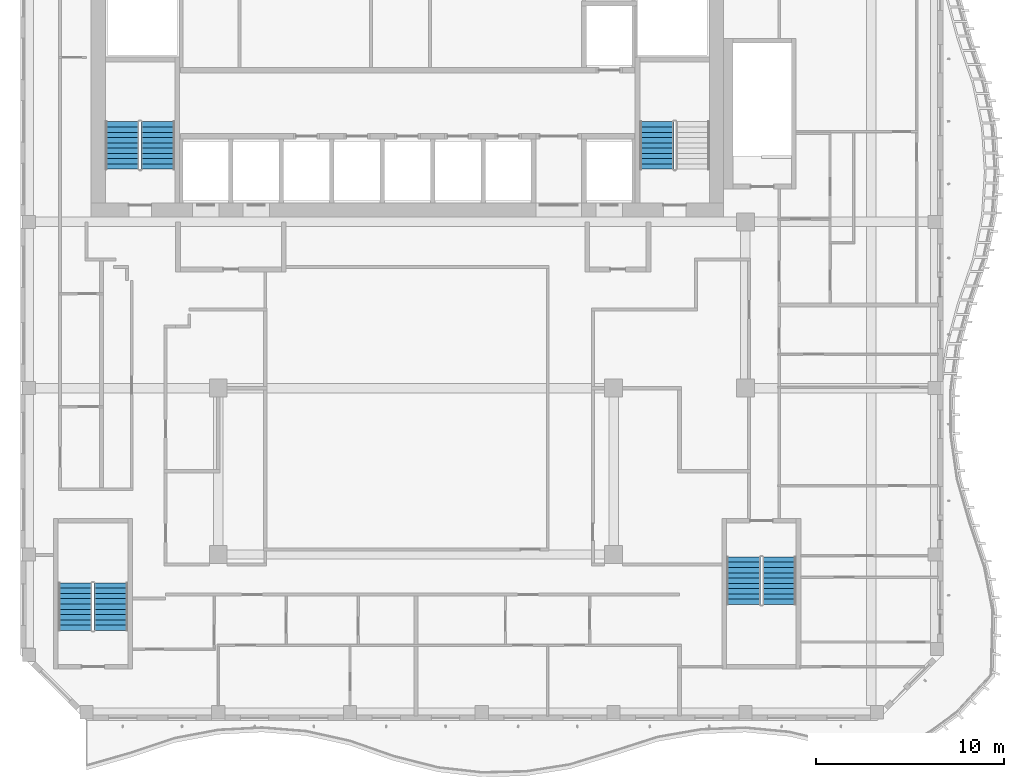
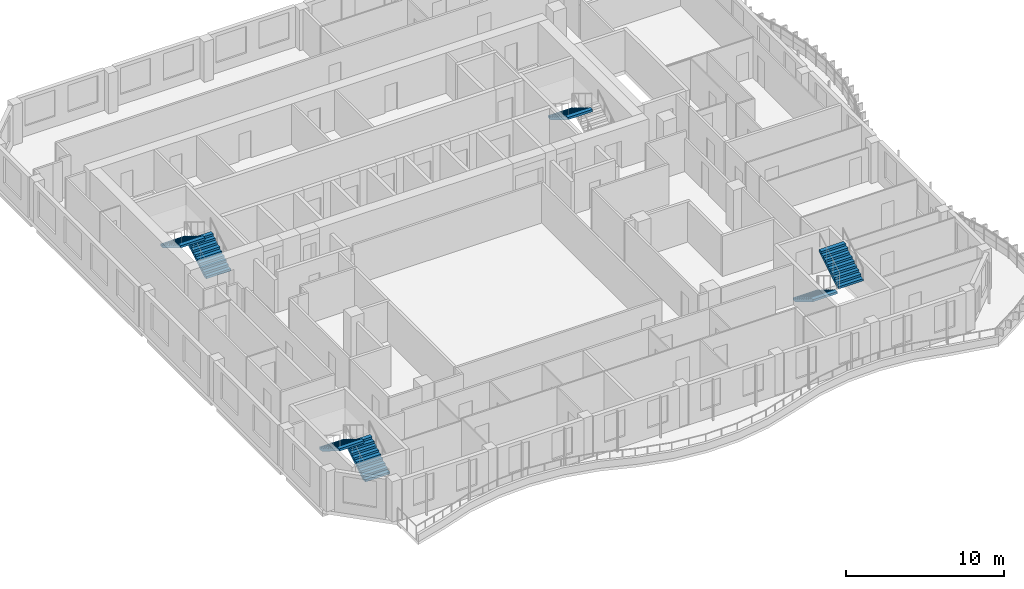
# One storey, part 10 of 18: 7 stair flights, 4 elements without a shape of their own.
"""IFC4 building model written with IfcOpenShell, lengths in metres."""

from ifc_helpers import new_model, si_unit, direction, frame, origin, place, context, subcontext, project, spatial, triangles, source, transform, mapped, material, type_object, element, aggregate, save


model = new_model("IFC4")

# Units and contexts
model_context = context("Model", 3, precision=1e-05, world=origin(), true_north=direction((0.0, 1.0)))
body_context = subcontext(model_context, "Body", "Model", "MODEL_VIEW")
ifc_project = project(units=[si_unit("LENGTHUNIT", "METRE"), si_unit("AREAUNIT", "SQUARE_METRE"), si_unit("VOLUMEUNIT", "CUBIC_METRE"), si_unit("PLANEANGLEUNIT", "RADIAN"), si_unit("MASSUNIT", "GRAM", prefix="KILO")], contexts=[model_context])

# Site, building, storey
site_placement = place(None, origin())
site = spatial("IfcSite", under=ifc_project, at=site_placement, CompositionType="ELEMENT")
building_placement = place(site_placement, origin())
building = spatial("IfcBuilding", under=site, at=building_placement, Name="Kilnfold Tower and Market Hall", CompositionType="ELEMENT")
storey_placement = place(building_placement, frame((0.0, 0.0, 256.0)))
storey = spatial("IfcBuildingStorey", under=building, at=storey_placement, Name="L62", CompositionType="ELEMENT", Elevation=256.0)

# Stair, stair flights
ifc_material_1 = material(Name="Concrete C40/50", Category="concrete")
stair_type = type_object("IfcStairType", Name="CORE STAIR 1800", PredefinedType="HALF_TURN_STAIR", material=ifc_material_1)
stair_1_placement = place(storey_placement, origin())
stair_1 = element("IfcStair", 1, at=stair_1_placement, inside=storey, type_object=stair_type, Name="L62 ST1", PredefinedType="HALF_TURN_STAIR")
ifc_material_2 = material(Name="Concrete C40/50", Category="concrete")
stair_flight_type = type_object("IfcStairFlightType", Name="CORE STAIR FLIGHT 1800", PredefinedType="STRAIGHT", material=ifc_material_2)
shared_shape = source(origin(), body_context, "Body", "Tessellation", [
    triangles([(0.0, 0.89990234375, 0.0), (0.0, 0.78759765625, 0.0), (0.0, 0.675048828125, 0.0), (0.0, 0.5625, 0.0), (0.0, 0.449951171875, 0.0), (0.0, 0.33740234375, 0.0), (0.0, 0.22509765625, 0.0), (0.0, 0.112548828125, 0.0), (0.0, 0.0, 0.0), (0.0, -0.112548828125, 0.0), (0.0, -0.22509765625, 0.0), (0.0, -0.33740234375, 0.0), (0.0, -0.449951171875, 0.0), (0.0, -0.5625, 0.0), (0.0, -0.675048828125, 0.0), (0.0, -0.78759765625, 0.0), (0.0, -0.89990234375, 0.0), (0.0, 0.89990234375, 0.169921875), (0.0, 0.78759765625, 0.169921875), (0.0, 0.675048828125, 0.169921875), (0.0, 0.5625, 0.169921875), (0.0, 0.449951171875, 0.169921875), (0.0, 0.33740234375, 0.169921875), (0.0, 0.22509765625, 0.169921875), (0.0, 0.112548828125, 0.169921875), (0.0, 0.0, 0.169921875), (0.0, -0.112548828125, 0.169921875), (0.0, -0.22509765625, 0.169921875), (0.0, -0.33740234375, 0.169921875), (0.0, -0.449951171875, 0.169921875), (0.0, -0.5625, 0.169921875), (0.0, -0.675048828125, 0.169921875), (0.0, -0.78759765625, 0.169921875), (0.0, -0.89990234375, 0.169921875), (0.280029296875, 0.89990234375, 0.169921875), (0.280029296875, 0.78759765625, 0.169921875), (0.280029296875, 0.675048828125, 0.169921875), (0.280029296875, 0.5625, 0.169921875), (0.280029296875, 0.449951171875, 0.169921875), (0.280029296875, 0.33740234375, 0.169921875), (0.280029296875, 0.22509765625, 0.169921875), (0.280029296875, 0.112548828125, 0.169921875), (0.280029296875, 0.0, 0.169921875), (0.280029296875, -0.112548828125, 0.169921875), (0.280029296875, -0.22509765625, 0.169921875), (0.280029296875, -0.33740234375, 0.169921875), (0.280029296875, -0.449951171875, 0.169921875), (0.280029296875, -0.5625, 0.169921875), (0.280029296875, -0.675048828125, 0.169921875), (0.280029296875, -0.78759765625, 0.169921875), (0.280029296875, -0.89990234375, 0.169921875), (0.280029296875, 0.89990234375, 0.340087890625), (0.280029296875, 0.78759765625, 0.340087890625), (0.280029296875, 0.675048828125, 0.340087890625), (0.280029296875, 0.5625, 0.340087890625), (0.280029296875, 0.449951171875, 0.340087890625), (0.280029296875, 0.33740234375, 0.340087890625), (0.280029296875, 0.22509765625, 0.340087890625), (0.280029296875, 0.112548828125, 0.340087890625), (0.280029296875, 0.0, 0.340087890625), (0.280029296875, -0.112548828125, 0.340087890625), (0.280029296875, -0.22509765625, 0.340087890625), (0.280029296875, -0.33740234375, 0.340087890625), (0.280029296875, -0.449951171875, 0.340087890625), (0.280029296875, -0.5625, 0.340087890625), (0.280029296875, -0.675048828125, 0.340087890625), (0.280029296875, -0.78759765625, 0.340087890625), (0.280029296875, -0.89990234375, 0.340087890625), (0.56005859375, 0.89990234375, 0.340087890625), (0.56005859375, 0.78759765625, 0.340087890625), (0.56005859375, 0.675048828125, 0.340087890625), (0.56005859375, 0.5625, 0.340087890625), (0.56005859375, 0.449951171875, 0.340087890625), (0.56005859375, 0.33740234375, 0.340087890625), (0.56005859375, 0.22509765625, 0.340087890625), (0.56005859375, 0.112548828125, 0.340087890625), (0.56005859375, 0.0, 0.340087890625), (0.56005859375, -0.112548828125, 0.340087890625), (0.56005859375, -0.22509765625, 0.340087890625), (0.56005859375, -0.33740234375, 0.340087890625), (0.56005859375, -0.449951171875, 0.340087890625), (0.56005859375, -0.5625, 0.340087890625), (0.56005859375, -0.675048828125, 0.340087890625), (0.56005859375, -0.78759765625, 0.340087890625), (0.56005859375, -0.89990234375, 0.340087890625), (0.56005859375, 0.89990234375, 0.510009765625), (0.56005859375, 0.78759765625, 0.510009765625), (0.56005859375, 0.675048828125, 0.510009765625), (0.56005859375, 0.5625, 0.510009765625), (0.56005859375, 0.449951171875, 0.510009765625), (0.56005859375, 0.33740234375, 0.510009765625), (0.56005859375, 0.22509765625, 0.510009765625), (0.56005859375, 0.112548828125, 0.510009765625), (0.56005859375, 0.0, 0.510009765625), (0.56005859375, -0.112548828125, 0.510009765625), (0.56005859375, -0.22509765625, 0.510009765625), (0.56005859375, -0.33740234375, 0.510009765625), (0.56005859375, -0.449951171875, 0.510009765625), (0.56005859375, -0.5625, 0.510009765625), (0.56005859375, -0.675048828125, 0.510009765625), (0.56005859375, -0.78759765625, 0.510009765625), (0.56005859375, -0.89990234375, 0.510009765625), (0.840087890625, 0.89990234375, 0.510009765625), (0.840087890625, 0.78759765625, 0.510009765625), (0.840087890625, 0.675048828125, 0.510009765625), (0.840087890625, 0.5625, 0.510009765625), (0.840087890625, 0.449951171875, 0.510009765625), (0.840087890625, 0.33740234375, 0.510009765625), (0.840087890625, 0.22509765625, 0.510009765625), (0.840087890625, 0.112548828125, 0.510009765625), (0.840087890625, 0.0, 0.510009765625), (0.840087890625, -0.112548828125, 0.510009765625), (0.840087890625, -0.22509765625, 0.510009765625), (0.840087890625, -0.33740234375, 0.510009765625), (0.840087890625, -0.449951171875, 0.510009765625), (0.840087890625, -0.5625, 0.510009765625), (0.840087890625, -0.675048828125, 0.510009765625), (0.840087890625, -0.78759765625, 0.510009765625), (0.840087890625, -0.89990234375, 0.510009765625), (0.840087890625, 0.89990234375, 0.679931640625), (0.840087890625, 0.78759765625, 0.679931640625), (0.840087890625, 0.675048828125, 0.679931640625), (0.840087890625, 0.5625, 0.679931640625), (0.840087890625, 0.449951171875, 0.679931640625), (0.840087890625, 0.33740234375, 0.679931640625), (0.840087890625, 0.22509765625, 0.679931640625), (0.840087890625, 0.112548828125, 0.679931640625), (0.840087890625, 0.0, 0.679931640625), (0.840087890625, -0.112548828125, 0.679931640625), (0.840087890625, -0.22509765625, 0.679931640625), (0.840087890625, -0.33740234375, 0.679931640625), (0.840087890625, -0.449951171875, 0.679931640625), (0.840087890625, -0.5625, 0.679931640625), (0.840087890625, -0.675048828125, 0.679931640625), (0.840087890625, -0.78759765625, 0.679931640625), (0.840087890625, -0.89990234375, 0.679931640625), (1.1201171875, 0.89990234375, 0.679931640625), (1.1201171875, 0.78759765625, 0.679931640625), (1.1201171875, 0.675048828125, 0.679931640625), (1.1201171875, 0.5625, 0.679931640625), (1.1201171875, 0.449951171875, 0.679931640625), (1.1201171875, 0.33740234375, 0.679931640625), (1.1201171875, 0.22509765625, 0.679931640625), (1.1201171875, 0.112548828125, 0.679931640625), (1.1201171875, 0.0, 0.679931640625), (1.1201171875, -0.112548828125, 0.679931640625), (1.1201171875, -0.22509765625, 0.679931640625), (1.1201171875, -0.33740234375, 0.679931640625), (1.1201171875, -0.449951171875, 0.679931640625), (1.1201171875, -0.5625, 0.679931640625), (1.1201171875, -0.675048828125, 0.679931640625), (1.1201171875, -0.78759765625, 0.679931640625), (1.1201171875, -0.89990234375, 0.679931640625), (1.1201171875, 0.89990234375, 0.85009765625), (1.1201171875, 0.78759765625, 0.85009765625), (1.1201171875, 0.675048828125, 0.85009765625), (1.1201171875, 0.5625, 0.85009765625), (1.1201171875, 0.449951171875, 0.85009765625), (1.1201171875, 0.33740234375, 0.85009765625), (1.1201171875, 0.22509765625, 0.85009765625), (1.1201171875, 0.112548828125, 0.85009765625), (1.1201171875, 0.0, 0.85009765625), (1.1201171875, -0.112548828125, 0.85009765625), (1.1201171875, -0.22509765625, 0.85009765625), (1.1201171875, -0.33740234375, 0.85009765625), (1.1201171875, -0.449951171875, 0.85009765625), (1.1201171875, -0.5625, 0.85009765625), (1.1201171875, -0.675048828125, 0.85009765625), (1.1201171875, -0.78759765625, 0.85009765625), (1.1201171875, -0.89990234375, 0.85009765625), (1.39990234375, 0.89990234375, 0.85009765625), (1.39990234375, 0.78759765625, 0.85009765625), (1.39990234375, 0.675048828125, 0.85009765625), (1.39990234375, 0.5625, 0.85009765625), (1.39990234375, 0.449951171875, 0.85009765625), (1.39990234375, 0.33740234375, 0.85009765625), (1.39990234375, 0.22509765625, 0.85009765625), (1.39990234375, 0.112548828125, 0.85009765625), (1.39990234375, 0.0, 0.85009765625), (1.39990234375, -0.112548828125, 0.85009765625), (1.39990234375, -0.22509765625, 0.85009765625), (1.39990234375, -0.33740234375, 0.85009765625), (1.39990234375, -0.449951171875, 0.85009765625), (1.39990234375, -0.5625, 0.85009765625), (1.39990234375, -0.675048828125, 0.85009765625), (1.39990234375, -0.78759765625, 0.85009765625), (1.39990234375, -0.89990234375, 0.85009765625), (1.39990234375, 0.89990234375, 1.02001953125), (1.39990234375, 0.78759765625, 1.02001953125), (1.39990234375, 0.675048828125, 1.02001953125), (1.39990234375, 0.5625, 1.02001953125), (1.39990234375, 0.449951171875, 1.02001953125), (1.39990234375, 0.33740234375, 1.02001953125), (1.39990234375, 0.22509765625, 1.02001953125), (1.39990234375, 0.112548828125, 1.02001953125), (1.39990234375, 0.0, 1.02001953125), (1.39990234375, -0.112548828125, 1.02001953125), (1.39990234375, -0.22509765625, 1.02001953125), (1.39990234375, -0.33740234375, 1.02001953125), (1.39990234375, -0.449951171875, 1.02001953125), (1.39990234375, -0.5625, 1.02001953125), (1.39990234375, -0.675048828125, 1.02001953125), (1.39990234375, -0.78759765625, 1.02001953125), (1.39990234375, -0.89990234375, 1.02001953125), (1.679931640625, 0.89990234375, 1.02001953125), (1.679931640625, 0.78759765625, 1.02001953125), (1.679931640625, 0.675048828125, 1.02001953125), (1.679931640625, 0.5625, 1.02001953125), (1.679931640625, 0.449951171875, 1.02001953125), (1.679931640625, 0.33740234375, 1.02001953125), (1.679931640625, 0.22509765625, 1.02001953125), (1.679931640625, 0.112548828125, 1.02001953125), (1.679931640625, 0.0, 1.02001953125), (1.679931640625, -0.112548828125, 1.02001953125), (1.679931640625, -0.22509765625, 1.02001953125), (1.679931640625, -0.33740234375, 1.02001953125), (1.679931640625, -0.449951171875, 1.02001953125), (1.679931640625, -0.5625, 1.02001953125), (1.679931640625, -0.675048828125, 1.02001953125), (1.679931640625, -0.78759765625, 1.02001953125), (1.679931640625, -0.89990234375, 1.02001953125), (1.679931640625, 0.89990234375, 1.18994140625), (1.679931640625, 0.78759765625, 1.18994140625), (1.679931640625, 0.675048828125, 1.18994140625), (1.679931640625, 0.5625, 1.18994140625), (1.679931640625, 0.449951171875, 1.18994140625), (1.679931640625, 0.33740234375, 1.18994140625), (1.679931640625, 0.22509765625, 1.18994140625), (1.679931640625, 0.112548828125, 1.18994140625), (1.679931640625, 0.0, 1.18994140625), (1.679931640625, -0.112548828125, 1.18994140625), (1.679931640625, -0.22509765625, 1.18994140625), (1.679931640625, -0.33740234375, 1.18994140625), (1.679931640625, -0.449951171875, 1.18994140625), (1.679931640625, -0.5625, 1.18994140625), (1.679931640625, -0.675048828125, 1.18994140625), (1.679931640625, -0.78759765625, 1.18994140625), (1.679931640625, -0.89990234375, 1.18994140625), (1.9599609375, 0.89990234375, 1.18994140625), (1.9599609375, 0.78759765625, 1.18994140625), (1.9599609375, 0.675048828125, 1.18994140625), (1.9599609375, 0.5625, 1.18994140625), (1.9599609375, 0.449951171875, 1.18994140625), (1.9599609375, 0.33740234375, 1.18994140625), (1.9599609375, 0.22509765625, 1.18994140625), (1.9599609375, 0.112548828125, 1.18994140625), (1.9599609375, 0.0, 1.18994140625), (1.9599609375, -0.112548828125, 1.18994140625), (1.9599609375, -0.22509765625, 1.18994140625), (1.9599609375, -0.33740234375, 1.18994140625), (1.9599609375, -0.449951171875, 1.18994140625), (1.9599609375, -0.5625, 1.18994140625), (1.9599609375, -0.675048828125, 1.18994140625), (1.9599609375, -0.78759765625, 1.18994140625), (1.9599609375, -0.89990234375, 1.18994140625), (1.9599609375, 0.89990234375, 1.360107421875), (1.9599609375, 0.78759765625, 1.360107421875), (1.9599609375, 0.675048828125, 1.360107421875), (1.9599609375, 0.5625, 1.360107421875), (1.9599609375, 0.449951171875, 1.360107421875), (1.9599609375, 0.33740234375, 1.360107421875), (1.9599609375, 0.22509765625, 1.360107421875), (1.9599609375, 0.112548828125, 1.360107421875), (1.9599609375, 0.0, 1.360107421875), (1.9599609375, -0.112548828125, 1.360107421875), (1.9599609375, -0.22509765625, 1.360107421875), (1.9599609375, -0.33740234375, 1.360107421875), (1.9599609375, -0.449951171875, 1.360107421875), (1.9599609375, -0.5625, 1.360107421875), (1.9599609375, -0.675048828125, 1.360107421875), (1.9599609375, -0.78759765625, 1.360107421875), (1.9599609375, -0.89990234375, 1.360107421875), (2.239990234375, 0.89990234375, 1.360107421875), (2.239990234375, 0.78759765625, 1.360107421875), (2.239990234375, 0.675048828125, 1.360107421875), (2.239990234375, 0.5625, 1.360107421875), (2.239990234375, 0.449951171875, 1.360107421875), (2.239990234375, 0.33740234375, 1.360107421875), (2.239990234375, 0.22509765625, 1.360107421875), (2.239990234375, 0.112548828125, 1.360107421875), (2.239990234375, 0.0, 1.360107421875), (2.239990234375, -0.112548828125, 1.360107421875), (2.239990234375, -0.22509765625, 1.360107421875), (2.239990234375, -0.33740234375, 1.360107421875), (2.239990234375, -0.449951171875, 1.360107421875), (2.239990234375, -0.5625, 1.360107421875), (2.239990234375, -0.675048828125, 1.360107421875), (2.239990234375, -0.78759765625, 1.360107421875), (2.239990234375, -0.89990234375, 1.360107421875), (2.239990234375, 0.89990234375, 1.530029296875), (2.239990234375, 0.78759765625, 1.530029296875), (2.239990234375, 0.675048828125, 1.530029296875), (2.239990234375, 0.5625, 1.530029296875), (2.239990234375, 0.449951171875, 1.530029296875), (2.239990234375, 0.33740234375, 1.530029296875), (2.239990234375, 0.22509765625, 1.530029296875), (2.239990234375, 0.112548828125, 1.530029296875), (2.239990234375, 0.0, 1.530029296875), (2.239990234375, -0.112548828125, 1.530029296875), (2.239990234375, -0.22509765625, 1.530029296875), (2.239990234375, -0.33740234375, 1.530029296875), (2.239990234375, -0.449951171875, 1.530029296875), (2.239990234375, -0.5625, 1.530029296875), (2.239990234375, -0.675048828125, 1.530029296875), (2.239990234375, -0.78759765625, 1.530029296875), (2.239990234375, -0.89990234375, 1.530029296875), (2.52001953125, 0.89990234375, 1.530029296875), (2.52001953125, 0.78759765625, 1.530029296875), (2.52001953125, 0.675048828125, 1.530029296875), (2.52001953125, 0.5625, 1.530029296875), (2.52001953125, 0.449951171875, 1.530029296875), (2.52001953125, 0.33740234375, 1.530029296875), (2.52001953125, 0.22509765625, 1.530029296875), (2.52001953125, 0.112548828125, 1.530029296875), (2.52001953125, 0.0, 1.530029296875), (2.52001953125, -0.112548828125, 1.530029296875), (2.52001953125, -0.22509765625, 1.530029296875), (2.52001953125, -0.33740234375, 1.530029296875), (2.52001953125, -0.449951171875, 1.530029296875), (2.52001953125, -0.5625, 1.530029296875), (2.52001953125, -0.675048828125, 1.530029296875), (2.52001953125, -0.78759765625, 1.530029296875), (2.52001953125, -0.89990234375, 1.530029296875), (2.52001953125, 0.89990234375, 1.354736328125), (2.52001953125, 0.78759765625, 1.354736328125), (2.52001953125, 0.675048828125, 1.354736328125), (2.52001953125, 0.5625, 1.354736328125), (2.52001953125, 0.449951171875, 1.354736328125), (2.52001953125, 0.33740234375, 1.354736328125), (2.52001953125, 0.22509765625, 1.354736328125), (2.52001953125, 0.112548828125, 1.354736328125), (2.52001953125, 0.0, 1.354736328125), (2.52001953125, -0.112548828125, 1.354736328125), (2.52001953125, -0.22509765625, 1.354736328125), (2.52001953125, -0.33740234375, 1.354736328125), (2.52001953125, -0.449951171875, 1.354736328125), (2.52001953125, -0.5625, 1.354736328125), (2.52001953125, -0.675048828125, 1.354736328125), (2.52001953125, -0.78759765625, 1.354736328125), (2.52001953125, -0.89990234375, 1.354736328125), (0.288818359375, 0.89990234375, 0.0), (0.288818359375, 0.78759765625, 0.0), (0.288818359375, 0.675048828125, 0.0), (0.288818359375, 0.5625, 0.0), (0.288818359375, 0.449951171875, 0.0), (0.288818359375, 0.33740234375, 0.0), (0.288818359375, 0.22509765625, 0.0), (0.288818359375, 0.112548828125, 0.0), (0.288818359375, 0.0, 0.0), (0.288818359375, -0.112548828125, 0.0), (0.288818359375, -0.22509765625, 0.0), (0.288818359375, -0.33740234375, 0.0), (0.288818359375, -0.449951171875, 0.0), (0.288818359375, -0.5625, 0.0), (0.288818359375, -0.675048828125, 0.0), (0.288818359375, -0.78759765625, 0.0), (0.288818359375, -0.89990234375, 0.0)], [[1, 324, 341], [17, 357, 340], [324, 290, 307], [340, 323, 306], [324, 273, 290], [340, 306, 289], [324, 256, 273], [340, 289, 272], [324, 239, 256], [340, 272, 255], [239, 205, 222], [255, 238, 221], [324, 205, 239], [340, 255, 221], [205, 171, 188], [221, 204, 187], [324, 171, 205], [340, 221, 187], [171, 137, 154], [187, 170, 153], [324, 137, 171], [340, 187, 153], [137, 103, 120], [153, 136, 119], [324, 103, 137], [340, 153, 119], [103, 69, 86], [119, 102, 85], [324, 69, 103], [340, 119, 85], [69, 35, 52], [85, 68, 51], [324, 35, 69], [340, 85, 51], [1, 35, 324], [17, 340, 51], [35, 1, 18], [51, 34, 17], [1, 19, 18], [1, 2, 19], [2, 20, 19], [2, 3, 20], [3, 21, 20], [3, 4, 21], [4, 22, 21], [4, 5, 22], [5, 23, 22], [5, 6, 23], [6, 24, 23], [6, 7, 24], [7, 25, 24], [7, 8, 25], [8, 26, 25], [8, 9, 26], [9, 27, 26], [9, 10, 27], [10, 28, 27], [10, 11, 28], [11, 29, 28], [11, 12, 29], [12, 30, 29], [12, 13, 30], [13, 31, 30], [13, 14, 31], [14, 32, 31], [14, 15, 32], [15, 33, 32], [15, 16, 33], [16, 34, 33], [16, 17, 34], [18, 36, 35], [18, 19, 36], [19, 37, 36], [19, 20, 37], [20, 38, 37], [20, 21, 38], [21, 39, 38], [21, 22, 39], [22, 40, 39], [22, 23, 40], [23, 41, 40], [23, 24, 41], [24, 42, 41], [24, 25, 42], [25, 43, 42], [25, 26, 43], [26, 44, 43], [26, 27, 44], [27, 45, 44], [27, 28, 45], [28, 46, 45], [28, 29, 46], [29, 47, 46], [29, 30, 47], [30, 48, 47], [30, 31, 48], [31, 49, 48], [31, 32, 49], [32, 50, 49], [32, 33, 50], [33, 51, 50], [33, 34, 51], [35, 53, 52], [35, 36, 53], [36, 54, 53], [36, 37, 54], [37, 55, 54], [37, 38, 55], [38, 56, 55], [38, 39, 56], [39, 57, 56], [39, 40, 57], [40, 58, 57], [40, 41, 58], [41, 59, 58], [41, 42, 59], [42, 60, 59], [42, 43, 60], [43, 61, 60], [43, 44, 61], [44, 62, 61], [44, 45, 62], [45, 63, 62], [45, 46, 63], [46, 64, 63], [46, 47, 64], [47, 65, 64], [47, 48, 65], [48, 66, 65], [48, 49, 66], [49, 67, 66], [49, 50, 67], [50, 68, 67], [50, 51, 68], [52, 70, 69], [52, 53, 70], [53, 71, 70], [53, 54, 71], [54, 72, 71], [54, 55, 72], [55, 73, 72], [55, 56, 73], [56, 74, 73], [56, 57, 74], [57, 75, 74], [57, 58, 75], [58, 76, 75], [58, 59, 76], [59, 77, 76], [59, 60, 77], [60, 78, 77], [60, 61, 78], [61, 79, 78], [61, 62, 79], [62, 80, 79], [62, 63, 80], [63, 81, 80], [63, 64, 81], [64, 82, 81], [64, 65, 82], [65, 83, 82], [65, 66, 83], [66, 84, 83], [66, 67, 84], [67, 85, 84], [67, 68, 85], [69, 87, 86], [69, 70, 87], [70, 88, 87], [70, 71, 88], [71, 89, 88], [71, 72, 89], [72, 90, 89], [72, 73, 90], [73, 91, 90], [73, 74, 91], [74, 92, 91], [74, 75, 92], [75, 93, 92], [75, 76, 93], [76, 94, 93], [76, 77, 94], [77, 95, 94], [77, 78, 95], [78, 96, 95], [78, 79, 96], [79, 97, 96], [79, 80, 97], [80, 98, 97], [80, 81, 98], [81, 99, 98], [81, 82, 99], [82, 100, 99], [82, 83, 100], [83, 101, 100], [83, 84, 101], [84, 102, 101], [84, 85, 102], [86, 104, 103], [86, 87, 104], [87, 105, 104], [87, 88, 105], [88, 106, 105], [88, 89, 106], [89, 107, 106], [89, 90, 107], [90, 108, 107], [90, 91, 108], [91, 109, 108], [91, 92, 109], [92, 110, 109], [92, 93, 110], [93, 111, 110], [93, 94, 111], [94, 112, 111], [94, 95, 112], [95, 113, 112], [95, 96, 113], [96, 114, 113], [96, 97, 114], [97, 115, 114], [97, 98, 115], [98, 116, 115], [98, 99, 116], [99, 117, 116], [99, 100, 117], [100, 118, 117], [100, 101, 118], [101, 119, 118], [101, 102, 119], [103, 121, 120], [103, 104, 121], [104, 122, 121], [104, 105, 122], [105, 123, 122], [105, 106, 123], [106, 124, 123], [106, 107, 124], [107, 125, 124], [107, 108, 125], [108, 126, 125], [108, 109, 126], [109, 127, 126], [109, 110, 127], [110, 128, 127], [110, 111, 128], [111, 129, 128], [111, 112, 129], [112, 130, 129], [112, 113, 130], [113, 131, 130], [113, 114, 131], [114, 132, 131], [114, 115, 132], [115, 133, 132], [115, 116, 133], [116, 134, 133], [116, 117, 134], [117, 135, 134], [117, 118, 135], [118, 136, 135], [118, 119, 136], [120, 138, 137], [120, 121, 138], [121, 139, 138], [121, 122, 139], [122, 140, 139], [122, 123, 140], [123, 141, 140], [123, 124, 141], [124, 142, 141], [124, 125, 142], [125, 143, 142], [125, 126, 143], [126, 144, 143], [126, 127, 144], [127, 145, 144], [127, 128, 145], [128, 146, 145], [128, 129, 146], [129, 147, 146], [129, 130, 147], [130, 148, 147], [130, 131, 148], [131, 149, 148], [131, 132, 149], [132, 150, 149], [132, 133, 150], [133, 151, 150], [133, 134, 151], [134, 152, 151], [134, 135, 152], [135, 153, 152], [135, 136, 153], [137, 155, 154], [137, 138, 155], [138, 156, 155], [138, 139, 156], [139, 157, 156], [139, 140, 157], [140, 158, 157], [140, 141, 158], [141, 159, 158], [141, 142, 159], [142, 160, 159], [142, 143, 160], [143, 161, 160], [143, 144, 161], [144, 162, 161], [144, 145, 162], [145, 163, 162], [145, 146, 163], [146, 164, 163], [146, 147, 164], [147, 165, 164], [147, 148, 165], [148, 166, 165], [148, 149, 166], [149, 167, 166], [149, 150, 167], [150, 168, 167], [150, 151, 168], [151, 169, 168], [151, 152, 169], [152, 170, 169], [152, 153, 170], [154, 172, 171], [154, 155, 172], [155, 173, 172], [155, 156, 173], [156, 174, 173], [156, 157, 174], [157, 175, 174], [157, 158, 175], [158, 176, 175], [158, 159, 176], [159, 177, 176], [159, 160, 177], [160, 178, 177], [160, 161, 178], [161, 179, 178], [161, 162, 179], [162, 180, 179], [162, 163, 180], [163, 181, 180], [163, 164, 181], [164, 182, 181], [164, 165, 182], [165, 183, 182], [165, 166, 183], [166, 184, 183], [166, 167, 184], [167, 185, 184], [167, 168, 185], [168, 186, 185], [168, 169, 186], [169, 187, 186], [169, 170, 187], [171, 189, 188], [171, 172, 189], [172, 190, 189], [172, 173, 190], [173, 191, 190], [173, 174, 191], [174, 192, 191], [174, 175, 192], [175, 193, 192], [175, 176, 193], [176, 194, 193], [176, 177, 194], [177, 195, 194], [177, 178, 195], [178, 196, 195], [178, 179, 196], [179, 197, 196], [179, 180, 197], [180, 198, 197], [180, 181, 198], [181, 199, 198], [181, 182, 199], [182, 200, 199], [182, 183, 200], [183, 201, 200], [183, 184, 201], [184, 202, 201], [184, 185, 202], [185, 203, 202], [185, 186, 203], [186, 204, 203], [186, 187, 204], [188, 206, 205], [188, 189, 206], [189, 207, 206], [189, 190, 207], [190, 208, 207], [190, 191, 208], [191, 209, 208], [191, 192, 209], [192, 210, 209], [192, 193, 210], [193, 211, 210], [193, 194, 211], [194, 212, 211], [194, 195, 212], [195, 213, 212], [195, 196, 213], [196, 214, 213], [196, 197, 214], [197, 215, 214], [197, 198, 215], [198, 216, 215], [198, 199, 216], [199, 217, 216], [199, 200, 217], [200, 218, 217], [200, 201, 218], [201, 219, 218], [201, 202, 219], [202, 220, 219], [202, 203, 220], [203, 221, 220], [203, 204, 221], [205, 223, 222], [205, 206, 223], [206, 224, 223], [206, 207, 224], [207, 225, 224], [207, 208, 225], [208, 226, 225], [208, 209, 226], [209, 227, 226], [209, 210, 227], [210, 228, 227], [210, 211, 228], [211, 229, 228], [211, 212, 229], [212, 230, 229], [212, 213, 230], [213, 231, 230], [213, 214, 231], [214, 232, 231], [214, 215, 232], [215, 233, 232], [215, 216, 233], [216, 234, 233], [216, 217, 234], [217, 235, 234], [217, 218, 235], [218, 236, 235], [218, 219, 236], [219, 237, 236], [219, 220, 237], [220, 238, 237], [220, 221, 238], [222, 240, 239], [222, 223, 240], [223, 241, 240], [223, 224, 241], [224, 242, 241], [224, 225, 242], [225, 243, 242], [225, 226, 243], [226, 244, 243], [226, 227, 244], [227, 245, 244], [227, 228, 245], [228, 246, 245], [228, 229, 246], [229, 247, 246], [229, 230, 247], [230, 248, 247], [230, 231, 248], [231, 249, 248], [231, 232, 249], [232, 250, 249], [232, 233, 250], [233, 251, 250], [233, 234, 251], [234, 252, 251], [234, 235, 252], [235, 253, 252], [235, 236, 253], [236, 254, 253], [236, 237, 254], [237, 255, 254], [237, 238, 255], [239, 257, 256], [239, 240, 257], [240, 258, 257], [240, 241, 258], [241, 259, 258], [241, 242, 259], [242, 260, 259], [242, 243, 260], [243, 261, 260], [243, 244, 261], [244, 262, 261], [244, 245, 262], [245, 263, 262], [245, 246, 263], [246, 264, 263], [246, 247, 264], [247, 265, 264], [247, 248, 265], [248, 266, 265], [248, 249, 266], [249, 267, 266], [249, 250, 267], [250, 268, 267], [250, 251, 268], [251, 269, 268], [251, 252, 269], [252, 270, 269], [252, 253, 270], [253, 271, 270], [253, 254, 271], [254, 272, 271], [254, 255, 272], [256, 274, 273], [256, 257, 274], [257, 275, 274], [257, 258, 275], [258, 276, 275], [258, 259, 276], [259, 277, 276], [259, 260, 277], [260, 278, 277], [260, 261, 278], [261, 279, 278], [261, 262, 279], [262, 280, 279], [262, 263, 280], [263, 281, 280], [263, 264, 281], [264, 282, 281], [264, 265, 282], [265, 283, 282], [265, 266, 283], [266, 284, 283], [266, 267, 284], [267, 285, 284], [267, 268, 285], [268, 286, 285], [268, 269, 286], [269, 287, 286], [269, 270, 287], [270, 288, 287], [270, 271, 288], [271, 289, 288], [271, 272, 289], [273, 291, 290], [273, 274, 291], [274, 292, 291], [274, 275, 292], [275, 293, 292], [275, 276, 293], [276, 294, 293], [276, 277, 294], [277, 295, 294], [277, 278, 295], [278, 296, 295], [278, 279, 296], [279, 297, 296], [279, 280, 297], [280, 298, 297], [280, 281, 298], [281, 299, 298], [281, 282, 299], [282, 300, 299], [282, 283, 300], [283, 301, 300], [283, 284, 301], [284, 302, 301], [284, 285, 302], [285, 303, 302], [285, 286, 303], [286, 304, 303], [286, 287, 304], [287, 305, 304], [287, 288, 305], [288, 306, 305], [288, 289, 306], [290, 308, 307], [290, 291, 308], [291, 309, 308], [291, 292, 309], [292, 310, 309], [292, 293, 310], [293, 311, 310], [293, 294, 311], [294, 312, 311], [294, 295, 312], [295, 313, 312], [295, 296, 313], [296, 314, 313], [296, 297, 314], [297, 315, 314], [297, 298, 315], [298, 316, 315], [298, 299, 316], [299, 317, 316], [299, 300, 317], [300, 318, 317], [300, 301, 318], [301, 319, 318], [301, 302, 319], [302, 320, 319], [302, 303, 320], [303, 321, 320], [303, 304, 321], [304, 322, 321], [304, 305, 322], [305, 323, 322], [305, 306, 323], [307, 325, 324], [307, 308, 325], [308, 326, 325], [308, 309, 326], [309, 327, 326], [309, 310, 327], [310, 328, 327], [310, 311, 328], [311, 329, 328], [311, 312, 329], [312, 330, 329], [312, 313, 330], [313, 331, 330], [313, 314, 331], [314, 332, 331], [314, 315, 332], [315, 333, 332], [315, 316, 333], [316, 334, 333], [316, 317, 334], [317, 335, 334], [317, 318, 335], [318, 336, 335], [318, 319, 336], [319, 337, 336], [319, 320, 337], [320, 338, 337], [320, 321, 338], [321, 339, 338], [321, 322, 339], [322, 340, 339], [322, 323, 340], [324, 342, 341], [324, 325, 342], [325, 343, 342], [325, 326, 343], [326, 344, 343], [326, 327, 344], [327, 345, 344], [327, 328, 345], [328, 346, 345], [328, 329, 346], [329, 347, 346], [329, 330, 347], [330, 348, 347], [330, 331, 348], [331, 349, 348], [331, 332, 349], [332, 350, 349], [332, 333, 350], [333, 351, 350], [333, 334, 351], [334, 352, 351], [334, 335, 352], [335, 353, 352], [335, 336, 353], [336, 354, 353], [336, 337, 354], [337, 355, 354], [337, 338, 355], [338, 356, 355], [338, 339, 356], [339, 357, 356], [339, 340, 357], [341, 2, 1], [341, 342, 2], [342, 3, 2], [342, 343, 3], [343, 4, 3], [343, 344, 4], [344, 5, 4], [344, 345, 5], [345, 6, 5], [345, 346, 6], [346, 7, 6], [346, 347, 7], [347, 8, 7], [347, 348, 8], [348, 9, 8], [348, 349, 9], [349, 10, 9], [349, 350, 10], [350, 11, 10], [350, 351, 11], [351, 12, 11], [351, 352, 12], [352, 13, 12], [352, 353, 13], [353, 14, 13], [353, 354, 14], [354, 15, 14], [354, 355, 15], [355, 16, 15], [355, 356, 16], [356, 17, 16], [356, 357, 17]], closed=True),
])
stair_flight_1_placement = place(storey_placement, frame((-12.199951171875, 10.800048828125, 0.0), z_axis=(0.0, 0.0, 1.0), x_axis=(0.0, 1.0, 0.0)))
stair_flight_1 = element("IfcStairFlight", 2, at=stair_flight_1_placement, type_object=stair_flight_type, Name="ST1 flight 1", NumberOfRisers=10, NumberOfTreads=9, PredefinedType="STRAIGHT", RiserHeight=0.17, TreadLength=0.28, context=body_context, shape_type="MappedRepresentation", body=[
    mapped(shared_shape, transform((0.0, 0.0, 0.0))),
])
stair_flight_2_placement = place(storey_placement, frame((-14.10009765625, 13.320068359375, 1.699951171875), z_axis=(0.0, 0.0, 1.0), x_axis=(0.0, -1.0, 0.0)))
stair_flight_2 = element("IfcStairFlight", 3, at=stair_flight_2_placement, type_object=stair_flight_type, Name="ST1 flight 2", NumberOfRisers=10, NumberOfTreads=9, PredefinedType="STRAIGHT", RiserHeight=0.17, TreadLength=0.28, context=body_context, shape_type="MappedRepresentation", body=[
    mapped(shared_shape, transform((0.0, 0.0, 0.0))),
])
aggregate(stair_1, [stair_flight_1, stair_flight_2])

# Stair, stair flight
stair_2_placement = place(storey_placement, origin())
stair_2 = element("IfcStair", 4, at=stair_2_placement, inside=storey, type_object=stair_type, Name="L62 ST2", PredefinedType="HALF_TURN_STAIR")
stair_flight_3_placement = place(storey_placement, frame((14.300048828125, 13.320068359375, 1.699951171875), z_axis=(0.0, 0.0, 1.0), x_axis=(0.0, -1.0, 0.0)))
stair_flight_3 = element("IfcStairFlight", 5, at=stair_flight_3_placement, type_object=stair_flight_type, Name="ST2 flight 2", NumberOfRisers=10, NumberOfTreads=9, PredefinedType="STRAIGHT", RiserHeight=0.17, TreadLength=0.28, context=body_context, shape_type="MappedRepresentation", body=[
    mapped(shared_shape, transform((0.0, 0.0, 0.0))),
])
aggregate(stair_2, [stair_flight_3])

# Stair, stair flights
stair_3_placement = place(storey_placement, origin())
stair_3 = element("IfcStair", 6, at=stair_3_placement, inside=storey, type_object=stair_type, Name="L62 ST3", PredefinedType="HALF_TURN_STAIR")
stair_flight_4_placement = place(storey_placement, frame((-14.699951171875, -13.699951171875, 0.0), z_axis=(0.0, 0.0, 1.0), x_axis=(0.0, 1.0, 0.0)))
stair_flight_4 = element("IfcStairFlight", 7, at=stair_flight_4_placement, type_object=stair_flight_type, Name="ST3 flight 1", NumberOfRisers=10, NumberOfTreads=9, PredefinedType="STRAIGHT", RiserHeight=0.17, TreadLength=0.28, context=body_context, shape_type="MappedRepresentation", body=[
    mapped(shared_shape, transform((0.0, 0.0, 0.0))),
])
stair_flight_5_placement = place(storey_placement, frame((-16.60009765625, -11.179931640625, 1.699951171875), z_axis=(0.0, 0.0, 1.0), x_axis=(0.0, -1.0, 0.0)))
stair_flight_5 = element("IfcStairFlight", 8, at=stair_flight_5_placement, type_object=stair_flight_type, Name="ST3 flight 2", NumberOfRisers=10, NumberOfTreads=9, PredefinedType="STRAIGHT", RiserHeight=0.17, TreadLength=0.28, context=body_context, shape_type="MappedRepresentation", body=[
    mapped(shared_shape, transform((0.0, 0.0, 0.0))),
])
aggregate(stair_3, [stair_flight_4, stair_flight_5])

stair_4_placement = place(storey_placement, origin())
stair_4 = element("IfcStair", 9, at=stair_4_placement, inside=storey, type_object=stair_type, Name="L62 ST4", PredefinedType="HALF_TURN_STAIR")
stair_flight_6_placement = place(storey_placement, frame((18.89990234375, -9.800048828125, 0.0), z_axis=(0.0, 0.0, 1.0), x_axis=(0.0, -1.0, 0.0)))
stair_flight_6 = element("IfcStairFlight", 10, at=stair_flight_6_placement, type_object=stair_flight_type, Name="ST4 flight 1", NumberOfRisers=10, NumberOfTreads=9, PredefinedType="STRAIGHT", RiserHeight=0.17, TreadLength=0.28, context=body_context, shape_type="MappedRepresentation", body=[
    mapped(shared_shape, transform((0.0, 0.0, 0.0))),
])
stair_flight_7_placement = place(storey_placement, frame((20.800048828125, -12.320068359375, 1.699951171875), z_axis=(0.0, 0.0, 1.0), x_axis=(0.0, 1.0, 0.0)))
stair_flight_7 = element("IfcStairFlight", 11, at=stair_flight_7_placement, type_object=stair_flight_type, Name="ST4 flight 2", NumberOfRisers=10, NumberOfTreads=9, PredefinedType="STRAIGHT", RiserHeight=0.17, TreadLength=0.28, context=body_context, shape_type="MappedRepresentation", body=[
    mapped(shared_shape, transform((0.0, 0.0, 0.0))),
])
aggregate(stair_4, [stair_flight_6, stair_flight_7])

save(model, "model.ifc")
